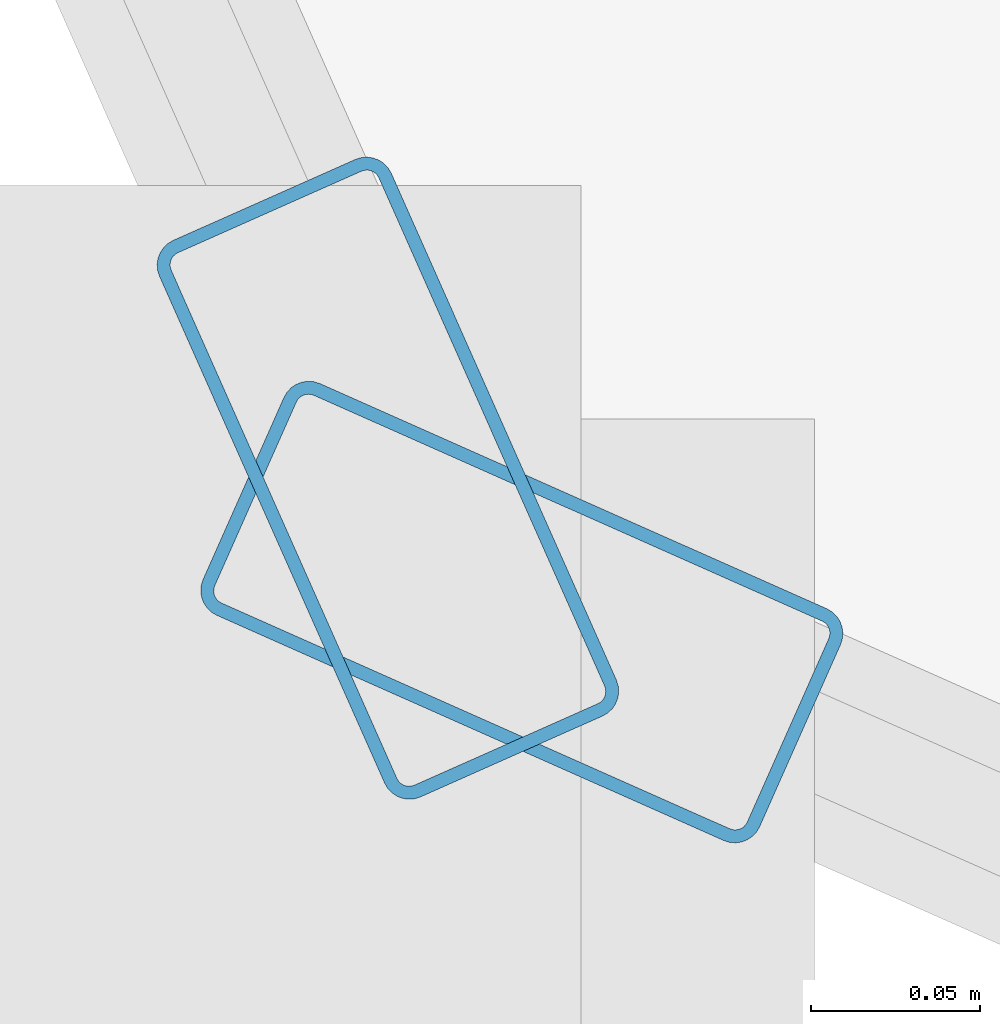
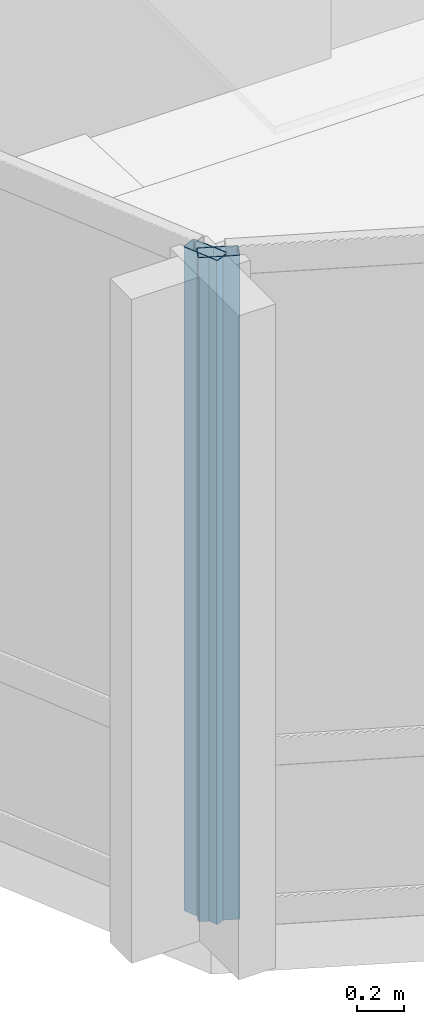
# One storey, part 2 of 29: 2 members, 2 elements without a shape of their own.
"""IFC4 building model written with IfcOpenShell, lengths in metres."""

import ifcopenshell
import ifcopenshell.guid

model = None  # the IFC model being written
_history = None  # IfcOwnerHistory: only IFC2X3 demands one
_inside = {}  # id of a spatial element -> (the spatial element, [elements in it])
_under = {}  # id of a project, library or spatial element -> (it, [spatial elements below it])
_declared = {}  # id of a project -> (the project, [libraries it declares])
_typed = {}  # id of a type object -> (the type object, [elements of that type])
_made_of = {}  # id of a material, layer set ... -> (it, [elements and type objects made of it])


def new_model(schema):
    """Start an empty IFC model of exactly this schema.

    Asked for "IFC4X3", IfcOpenShell would pick the latest addendum, in which some entities
    have other attributes; the version numbers below select the first issue.
    IFC2X3 requires an IfcOwnerHistory on every rooted entity: one is made here for all.
    """
    global model, _history
    if schema == "IFC4X3":
        model = ifcopenshell.file(schema_version=(4, 3, 0, 0))
    else:
        model = ifcopenshell.file(schema=schema)
    _inside.clear()
    _under.clear()
    _declared.clear()
    _typed.clear()
    _made_of.clear()
    _history = None
    if model.schema == "IFC2X3":
        org = make("IfcOrganization", Name="unknown")
        user = make(
            "IfcPersonAndOrganization",
            ThePerson=make("IfcPerson", FamilyName="unknown"),
            TheOrganization=org,
        )
        app = make(
            "IfcApplication",
            ApplicationDeveloper=org,
            Version="unknown",
            ApplicationFullName="unknown",
            ApplicationIdentifier="unknown",
        )
        _history = make(
            "IfcOwnerHistory",
            OwningUser=user,
            OwningApplication=app,
            ChangeAction="ADDED",
            CreationDate=0,
        )
    return model


def make(cls, **values):
    """One entity of the class cls with the attributes given. An attribute that is None is left unset."""
    return model.create_entity(
        cls, **{name: value for name, value in values.items() if value is not None}
    )


def rooted(cls, **values):
    """An entity with a GlobalId (a new one), such as an element, a storey or a relation."""
    return make(cls, GlobalId=ifcopenshell.guid.new(), OwnerHistory=_history, **values)


def si_unit(unit_type, name, prefix=None):
    """IfcSIUnit, for example si_unit("LENGTHUNIT", "METRE", prefix="MILLI")."""
    return make("IfcSIUnit", UnitType=unit_type, Prefix=prefix, Name=name)


def assignment(units):
    """IfcUnitAssignment: the units of a project."""
    return None if units is None else make("IfcUnitAssignment", Units=units)


def point(xyz):
    """IfcCartesianPoint."""
    return None if xyz is None else make("IfcCartesianPoint", Coordinates=xyz)


def direction(xyz):
    """IfcDirection."""
    return None if xyz is None else make("IfcDirection", DirectionRatios=xyz)


def frame(location, z_axis=None, x_axis=None):
    """IfcAxis2Placement3D, a coordinate frame: its origin and axes. An axis left out is left unset."""
    return make(
        "IfcAxis2Placement3D",
        Location=point(location),
        Axis=direction(z_axis),
        RefDirection=direction(x_axis),
    )


def frame_2d(location, x_axis=None):
    """IfcAxis2Placement2D, a coordinate frame in the plane: its origin and x axis."""
    return make(
        "IfcAxis2Placement2D", Location=point(location), RefDirection=direction(x_axis)
    )


def origin():
    """The frame at (0, 0, 0) with its axes left unset."""
    return frame((0.0, 0.0, 0.0))


def origin_2d():
    """The frame at (0, 0) in the plane with its x axis left unset."""
    return frame_2d((0.0, 0.0))


def place(relative_to, where):
    """IfcLocalPlacement: puts the frame where relative to a parent placement (None: the world)."""
    return make(
        "IfcLocalPlacement", PlacementRelTo=relative_to, RelativePlacement=where
    )


def context(
    kind, dimensions, precision=None, world=None, true_north=None, identifier=None
):
    """IfcGeometricRepresentationContext, for example the 3D "Model" context."""
    return make(
        "IfcGeometricRepresentationContext",
        ContextIdentifier=identifier,
        ContextType=kind,
        CoordinateSpaceDimension=dimensions,
        Precision=precision,
        WorldCoordinateSystem=world,
        TrueNorth=true_north,
    )


def subcontext(parent, identifier, kind, view, scale=None):
    """IfcGeometricRepresentationSubContext, for example "Body" below "Model"."""
    return make(
        "IfcGeometricRepresentationSubContext",
        ContextIdentifier=identifier,
        ContextType=kind,
        ParentContext=parent,
        TargetScale=scale,
        TargetView=view,
    )


def project(units=None, contexts=None):
    """IfcProject with its units and contexts."""
    return rooted(
        "IfcProject",
        Name="project",
        RepresentationContexts=contexts,
        UnitsInContext=assignment(units),
    )


def spatial(cls, under=None, at=None, **own):
    """A site, building, storey or space (cls), placed at a placement, below another one or the project."""
    s = rooted(cls, ObjectPlacement=at, **own)
    if under is not None:
        _under.setdefault(under.id(), (under, []))[1].append(s)
    return s


def profile(cls, at=None, kind="AREA", **sizes):
    """A parametric profile (cls). Its sizes go by their IFC names, for example OverallWidth=200.0."""
    return make(cls, ProfileType=kind, Position=at, **sizes)


def hollow_rectangle(**sizes):
    """IfcRectangleHollowProfileDef."""
    return profile("IfcRectangleHollowProfileDef", **sizes)


def extrude(swept, where, along, depth):
    """IfcExtrudedAreaSolid: the profile swept, set in the frame where, extruded along a direction by depth."""
    return make(
        "IfcExtrudedAreaSolid",
        SweptArea=swept,
        Position=where,
        ExtrudedDirection=direction(along),
        Depth=depth,
    )


def shape(context_of_items, identifier, shape_type, items):
    """IfcShapeRepresentation: the items that make up one representation, for example the "Body"."""
    return make(
        "IfcShapeRepresentation",
        ContextOfItems=context_of_items,
        RepresentationIdentifier=identifier,
        RepresentationType=shape_type,
        Items=items,
    )


def material(Name=None, Category=None):
    """IfcMaterial."""
    return make("IfcMaterial", Name=Name, Category=Category)


def layer(
    of_material, thickness, ventilated=None, Name=None, Category=None, Priority=None
):
    """IfcMaterialLayer: one layer of a wall or slab, of a material (None: an air gap)."""
    return make(
        "IfcMaterialLayer",
        Material=of_material,
        LayerThickness=thickness,
        IsVentilated=ventilated,
        Name=Name,
        Category=Category,
        Priority=Priority,
    )


def layer_set(layers, Name=None):
    """IfcMaterialLayerSet."""
    return make("IfcMaterialLayerSet", MaterialLayers=layers, LayerSetName=Name)


def material_profile(
    of_material, cross_section, Name=None, Category=None, Priority=None
):
    """IfcMaterialProfile: a cross section and its material."""
    return make(
        "IfcMaterialProfile",
        Name=Name,
        Material=of_material,
        Profile=cross_section,
        Priority=Priority,
        Category=Category,
    )


def profile_set(profiles, Name=None, composite=None):
    """IfcMaterialProfileSet."""
    return make(
        "IfcMaterialProfileSet",
        Name=Name,
        MaterialProfiles=profiles,
        CompositeProfile=composite,
    )


def made_of(thing, what):
    """Note that an element or type object is made of a material, layer set ...; save() writes the relation."""
    if what is not None:
        _made_of.setdefault(what.id(), (what, []))[1].append(thing)
    return thing


def type_object(cls, material=None, **own):
    """A type object (cls), such as IfcWallType, which elements share."""
    return made_of(rooted(cls, **own), material)


def element(
    cls,
    number,
    at=None,
    inside=None,
    cuts=None,
    type_object=None,
    material=None,
    context=None,
    identifier="Body",
    shape_type=None,
    held_by="IfcProductDefinitionShape",
    body=None,
    shapes=None,
    **own,
):
    """One element of the class cls, such as IfcWall. Its Tag is "e" and its number.

    at: its placement. inside: the storey or other place that contains it. cuts: it is an
    opening in that element (IfcRelVoidsElement). A single representation is given by context,
    identifier, shape_type and body (its items); several are given by shapes. held_by: the class
    of the entity that holds the representations. save() writes the other relations.
    """
    e = rooted(cls, Tag="e%d" % number, ObjectPlacement=at, **own)
    if body is not None:
        shapes = [shape(context, identifier, shape_type, body)]
    if shapes is not None:
        e.Representation = make(held_by, Representations=shapes)
    if inside is not None:
        _inside.setdefault(inside.id(), (inside, []))[1].append(e)
    if cuts is not None:
        rooted(
            "IfcRelVoidsElement", RelatingBuildingElement=cuts, RelatedOpeningElement=e
        )
    if type_object is not None:
        _typed.setdefault(type_object.id(), (type_object, []))[1].append(e)
    return made_of(e, material)


def aggregate(whole, parts):
    """IfcRelAggregates: a whole, such as a stair, and the parts it consists of."""
    return rooted("IfcRelAggregates", RelatingObject=whole, RelatedObjects=parts)


def save(model, path):
    """Write the relations noted so far, then the file.

    IfcRelAggregates (storeys below a building ...), IfcRelContainedInSpatialStructure (elements
    in a storey), IfcRelDefinesByType, IfcRelAssociatesMaterial and IfcRelDeclares: one each for
    every whole, place, type object, material and project.
    """
    for whole, parts in _under.values():
        aggregate(whole, parts)
    for where, things in _inside.values():
        rooted(
            "IfcRelContainedInSpatialStructure",
            RelatedElements=things,
            RelatingStructure=where,
        )
    for kind, things in _typed.values():
        rooted("IfcRelDefinesByType", RelatedObjects=things, RelatingType=kind)
    for what, things in _made_of.values():
        rooted("IfcRelAssociatesMaterial", RelatedObjects=things, RelatingMaterial=what)
    for by, libraries in _declared.values():
        rooted("IfcRelDeclares", RelatingContext=by, RelatedDefinitions=libraries)
    model.write(path)


model = new_model("IFC4")

# Units and contexts
model_context = context("Model", 3, precision=1e-05, world=origin(), true_north=direction((0.0, 1.0)))
body_context = subcontext(model_context, "Body", "Model", "MODEL_VIEW")
ifc_project = project(units=[si_unit("LENGTHUNIT", "METRE"), si_unit("AREAUNIT", "SQUARE_METRE"), si_unit("VOLUMEUNIT", "CUBIC_METRE"), si_unit("PLANEANGLEUNIT", "RADIAN"), si_unit("MASSUNIT", "GRAM", prefix="KILO")], contexts=[model_context])

# Site, building, storey
site_placement = place(None, origin())
site = spatial("IfcSite", under=ifc_project, at=site_placement, CompositionType="ELEMENT")
building_placement = place(site_placement, origin())
building = spatial("IfcBuilding", under=site, at=building_placement, Name="Solvaryn Broadcast Tower", CompositionType="ELEMENT")
storey_placement = place(building_placement, frame((0.0, 0.0, 139.60009765625)))
storey = spatial("IfcBuildingStorey", under=building, at=storey_placement, Name="L34", CompositionType="ELEMENT", Elevation=139.60009765625)

# Curtain wall, member
ifc_material_1 = material(Name="Aluminium and Terracotta Unitised Curtain Wall", Category="masonry")
ifc_layer_1 = layer(ifc_material_1, 0.239990234375)
ifc_layer_set_1 = layer_set([ifc_layer_1], Name="CW-SYS3-BAYBOX")
curtain_wall_type_1 = type_object("IfcCurtainWallType", Name="CW-SYS3-BAYBOX", PredefinedType="NOTDEFINED", material=ifc_layer_set_1)
curtain_wall_1_placement = place(storey_placement, origin())
curtain_wall_1 = element("IfcCurtainWall", 1, at=curtain_wall_1_placement, inside=storey, type_object=curtain_wall_type_1, Name="L34 Curtain Wall DR2", PredefinedType="NOTDEFINED")
ifc_material_2 = material(Name="Anodised Aluminium 6063-T6", Category="aluminium")
ifc_material_profile = material_profile(ifc_material_2, hollow_rectangle(XDim=0.074951171875, YDim=0.179931640625, WallThickness=0.00390625, InnerFilletRadius=0.00390625, OuterFilletRadius=0.008056640625, at=origin_2d()))
ifc_profile_set = profile_set([ifc_material_profile], Name="Anodised Aluminium 6063-T6")
member_type = type_object("IfcMemberType", Name="CW-MUL-180", PredefinedType="MULLION", material=ifc_profile_set)
member_1_placement = place(storey_placement, frame((8.895751953125, 8.935302734375, 0.0), z_axis=(0.0, 0.0, 1.0), x_axis=(0.913909311008, 0.405918429309, 0.0)))
member_1 = element("IfcMember", 2, at=member_1_placement, type_object=member_type, Name="CWS3 mullion 2", PredefinedType="MULLION", context=body_context, shape_type="SweptSolid", body=[
    extrude(hollow_rectangle(XDim=0.074951171875, YDim=0.179931640625, WallThickness=0.00390625, InnerFilletRadius=0.00390625, OuterFilletRadius=0.008056640625, at=origin_2d()), origin(), (0.0, 0.0, 1.0), 3.419921875),
])
aggregate(curtain_wall_1, [member_1])

ifc_material_3 = material(Name="Aluminium and Terracotta Unitised Curtain Wall", Category="masonry")
ifc_layer_2 = layer(ifc_material_3, 0.199951171875)
ifc_layer_set_2 = layer_set([ifc_layer_2], Name="CW-SYS2-LOWMID")
curtain_wall_type_2 = type_object("IfcCurtainWallType", Name="CW-SYS2-LOWMID", PredefinedType="NOTDEFINED", material=ifc_layer_set_2)
curtain_wall_2_placement = place(storey_placement, origin())
curtain_wall_2 = element("IfcCurtainWall", 3, at=curtain_wall_2_placement, inside=storey, type_object=curtain_wall_type_2, Name="L34 Curtain Wall DR3", PredefinedType="NOTDEFINED")
member_2_placement = place(storey_placement, frame((8.935302734375, 8.895751953125, 0.0), z_axis=(0.0, 0.0, 1.0), x_axis=(0.405918429309, 0.913909311008, 0.0)))
member_2 = element("IfcMember", 4, at=member_2_placement, type_object=member_type, Name="CWS2 mullion 1", PredefinedType="MULLION", context=body_context, shape_type="SweptSolid", body=[
    extrude(hollow_rectangle(XDim=0.074951171875, YDim=0.179931640625, WallThickness=0.00390625, InnerFilletRadius=0.00390625, OuterFilletRadius=0.008056640625, at=origin_2d()), origin(), (0.0, 0.0, 1.0), 3.419921875),
])
aggregate(curtain_wall_2, [member_2])

save(model, "model.ifc")
